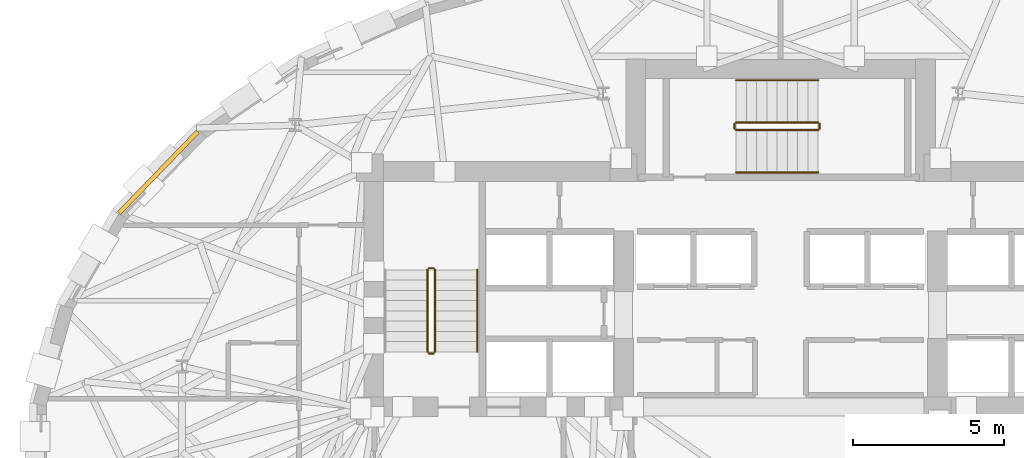
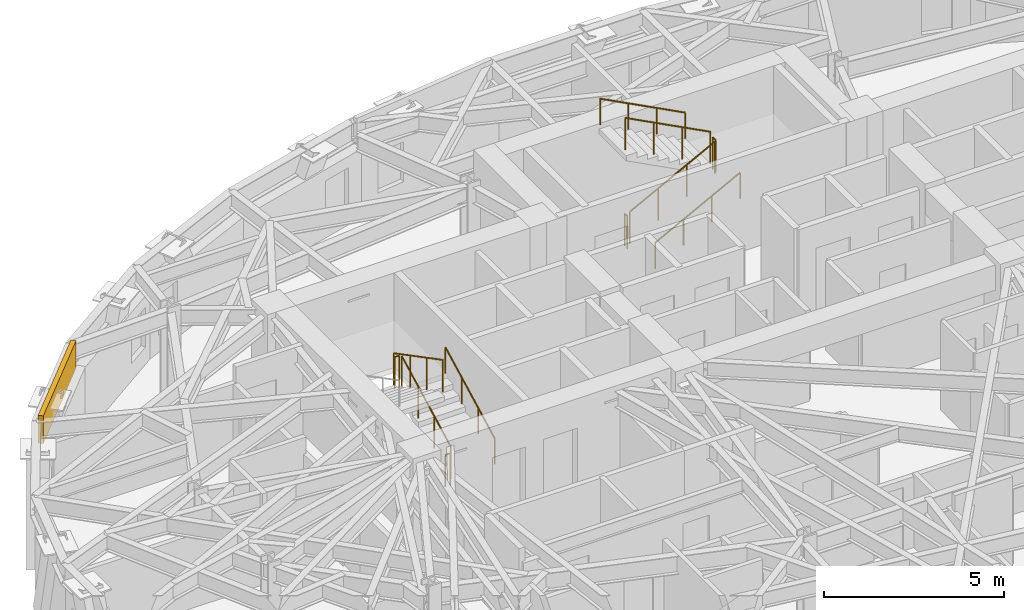
# One storey, part 13 of 15: 11 railings, 1 covering.
"""IFC4 building model written with IfcOpenShell, lengths in metres."""

from ifc_helpers import new_model, si_unit, direction, frame, origin, origin_2d, place, context, subcontext, project, spatial, rectangle, circle, extrude, material, layer, layer_set, type_object, element, save


model = new_model("IFC4")

# Units and contexts
model_context = context("Model", 3, precision=1e-05, world=origin(), true_north=direction((0.0, 1.0)))
body_context = subcontext(model_context, "Body", "Model", "MODEL_VIEW")
ifc_project = project(units=[si_unit("LENGTHUNIT", "METRE"), si_unit("AREAUNIT", "SQUARE_METRE"), si_unit("VOLUMEUNIT", "CUBIC_METRE"), si_unit("PLANEANGLEUNIT", "RADIAN"), si_unit("MASSUNIT", "GRAM", prefix="KILO")], contexts=[model_context])

# Site, building, storey
site_placement = place(None, origin())
site = spatial("IfcSite", under=ifc_project, at=site_placement, CompositionType="ELEMENT")
building_placement = place(site_placement, origin())
building = spatial("IfcBuilding", under=site, at=building_placement, Name="Keldmark Tower", CompositionType="ELEMENT")
storey_placement = place(building_placement, frame((0.0, 0.0, 159.800048828125)))
storey = spatial("IfcBuildingStorey", under=building, at=storey_placement, Name="L43", CompositionType="ELEMENT", Elevation=159.800048828125)

# Covering
ifc_material_1 = material(Name="Honed Kasota Buff Dolomitic Limestone", Category="masonry")
ifc_layer = layer(ifc_material_1, 0.074951171875)
ifc_layer_set = layer_set([ifc_layer], Name="Honed Kasota Buff Dolomitic Limestone")
covering_type = type_object("IfcCoveringType", Name="Kasota Buff Limestone Spandrel Cladding Band", PredefinedType="CLADDING", material=ifc_layer_set)
covering_placement = place(storey_placement, frame((-20.6142578125, 9.298095703125, 2.239013671875), z_axis=(0.0, 0.0, 1.0), x_axis=(-0.694959625859, -0.719048759422, 0.0)))
element("IfcCovering", 1, at=covering_placement, inside=storey, type_object=covering_type, Name="L43 Kasota Limestone Spandrel Band 13", PredefinedType="CLADDING", context=body_context, shape_type="SweptSolid", body=[
    extrude(rectangle(XDim=3.74609375, YDim=0.14990234375, at=origin_2d()), origin(), (0.0, 0.0, 1.0), 0.94091796875),
])

# Railings
ifc_material_2 = material(Name="Painted Steel ASTM A500 Grade B", Category="steel")
railing_type_1 = type_object("IfcRailingType", Name="Painted Steel Stair Well Guard 1100 mm", PredefinedType="GUARDRAIL", material=ifc_material_2)
railing_1_placement = place(storey_placement, frame((-11.449951171875, 3.35009765625, 0.177734375)))
element("IfcRailing", 2, at=railing_1_placement, inside=storey, type_object=railing_type_1, Name="L43 ST1 stair guard 1", PredefinedType="GUARDRAIL", context=body_context, shape_type="SweptSolid", body=[
    extrude(circle(Radius=0.02392578125, at=origin_2d()), frame((0.0, 0.0, 1.076171875), z_axis=(0.0, 0.886183135912, 0.463335137482), x_axis=(-1.0, 0.0, 0.0)), (0.0, 0.0, 1.0), 3.0693359375),
    extrude(circle(Radius=0.02099609375, at=origin_2d()), origin(), (0.0, 0.0, 1.0), 1.052001953125),
    extrude(circle(Radius=0.02099609375, at=origin_2d()), frame((0.0, 0.90673828125, 0.47412109375)), (0.0, 0.0, 1.0), 1.052001953125),
    extrude(circle(Radius=0.02099609375, at=origin_2d()), frame((0.0, 1.813232421875, 0.947998046875)), (0.0, 0.0, 1.0), 1.052001953125),
    extrude(circle(Radius=0.02099609375, at=origin_2d()), frame((0.0, 2.719970703125, 1.422119140625)), (0.0, 0.0, 1.0), 1.052001953125),
])
railing_2_placement = place(storey_placement, frame((-11.5, 6.1201171875, 1.599853515625)))
element("IfcRailing", 3, at=railing_2_placement, inside=storey, type_object=railing_type_1, Name="L43 ST1 stair guard 2", PredefinedType="GUARDRAIL", context=body_context, shape_type="SweptSolid", body=[
    extrude(circle(Radius=0.02392578125, at=origin_2d()), frame((0.0, 0.0, 1.076171875), z_axis=(-1.0, 0.0, 0.0), x_axis=(0.0, -1.0, 0.0)), (0.0, 0.0, 1.0), 0.14990234375),
    extrude(circle(Radius=0.02099609375, at=origin_2d()), origin(), (0.0, 0.0, 1.0), 1.052001953125),
    extrude(circle(Radius=0.02099609375, at=origin_2d()), frame((-0.14990234375, 0.0, 0.0)), (0.0, 0.0, 1.0), 1.052001953125),
])
railing_3_placement = place(storey_placement, frame((-11.699951171875, 6.070068359375, 1.77783203125)))
element("IfcRailing", 4, at=railing_3_placement, inside=storey, type_object=railing_type_1, Name="L43 ST1 stair guard 3", PredefinedType="GUARDRAIL", context=body_context, shape_type="SweptSolid", body=[
    extrude(circle(Radius=0.02392578125, at=origin_2d()), frame((0.0, 0.0, 1.076171875), z_axis=(0.0, -0.886183135912, 0.463335137482), x_axis=(1.0, 0.0, 0.0)), (0.0, 0.0, 1.0), 3.0693359375),
    extrude(circle(Radius=0.02099609375, at=origin_2d()), origin(), (0.0, 0.0, 1.0), 1.052001953125),
    extrude(circle(Radius=0.02099609375, at=origin_2d()), frame((0.0, -0.90673828125, 0.47412109375)), (0.0, 0.0, 1.0), 1.052001953125),
    extrude(circle(Radius=0.02099609375, at=origin_2d()), frame((0.0, -1.813232421875, 0.947998046875)), (0.0, 0.0, 1.0), 1.052001953125),
    extrude(circle(Radius=0.02099609375, at=origin_2d()), frame((0.0, -2.719970703125, 1.422119140625)), (0.0, 0.0, 1.0), 1.052001953125),
])
railing_4_placement = place(storey_placement, frame((-11.5, 3.300048828125, 0.0)))
element("IfcRailing", 5, at=railing_4_placement, inside=storey, type_object=railing_type_1, Name="L43 ST1 stair guard 4", PredefinedType="GUARDRAIL", context=body_context, shape_type="SweptSolid", body=[
    extrude(circle(Radius=0.02392578125, at=origin_2d()), frame((0.0, 0.0, 1.076171875), z_axis=(-1.0, 0.0, 0.0), x_axis=(0.0, -1.0, 0.0)), (0.0, 0.0, 1.0), 0.14990234375),
    extrude(circle(Radius=0.02099609375, at=origin_2d()), origin(), (0.0, 0.0, 1.0), 1.052001953125),
    extrude(circle(Radius=0.02099609375, at=origin_2d()), frame((-0.14990234375, 0.0, 0.0)), (0.0, 0.0, 1.0), 1.052001953125),
])
railing_5_placement = place(storey_placement, frame((-1.47509765625, 10.699951171875, 0.177734375)))
element("IfcRailing", 6, at=railing_5_placement, inside=storey, type_object=railing_type_1, Name="L43 ST3 stair guard 1", PredefinedType="GUARDRAIL", context=body_context, shape_type="SweptSolid", body=[
    extrude(circle(Radius=0.02392578125, at=origin_2d()), frame((0.0, 0.0, 1.076171875), z_axis=(0.886200210249, 0.0, 0.463302479331), x_axis=(0.0, 1.0, 0.0)), (0.0, 0.0, 1.0), 3.069580078125),
    extrude(circle(Radius=0.02099609375, at=origin_2d()), origin(), (0.0, 0.0, 1.0), 1.052001953125),
    extrude(circle(Radius=0.02099609375, at=origin_2d()), frame((0.90673828125, 0.0, 0.47412109375)), (0.0, 0.0, 1.0), 1.052001953125),
    extrude(circle(Radius=0.02099609375, at=origin_2d()), frame((1.8134765625, 0.0, 0.947998046875)), (0.0, 0.0, 1.0), 1.052001953125),
    extrude(circle(Radius=0.02099609375, at=origin_2d()), frame((2.72021484375, 0.0, 1.422119140625)), (0.0, 0.0, 1.0), 1.052001953125),
])
railing_6_placement = place(storey_placement, frame((1.294921875, 10.75, 1.599853515625)))
element("IfcRailing", 7, at=railing_6_placement, inside=storey, type_object=railing_type_1, Name="L43 ST3 stair guard 2", PredefinedType="GUARDRAIL", context=body_context, shape_type="SweptSolid", body=[
    extrude(circle(Radius=0.02392578125, at=origin_2d()), frame((0.0, 0.0, 1.076171875), z_axis=(0.0, 1.0, 0.0), x_axis=(-1.0, 0.0, 0.0)), (0.0, 0.0, 1.0), 0.14990234375),
    extrude(circle(Radius=0.02099609375, at=origin_2d()), origin(), (0.0, 0.0, 1.0), 1.052001953125),
    extrude(circle(Radius=0.02099609375, at=origin_2d()), frame((0.0, 0.14990234375, 0.0)), (0.0, 0.0, 1.0), 1.052001953125),
])
railing_7_placement = place(storey_placement, frame((1.2451171875, 10.949951171875, 1.77783203125)))
element("IfcRailing", 8, at=railing_7_placement, inside=storey, type_object=railing_type_1, Name="L43 ST3 stair guard 3", PredefinedType="GUARDRAIL", context=body_context, shape_type="SweptSolid", body=[
    extrude(circle(Radius=0.02392578125, at=origin_2d()), frame((0.0, 0.0, 1.076171875), z_axis=(-0.886200210249, 0.0, 0.463302479331), x_axis=(0.0, -1.0, 0.0)), (0.0, 0.0, 1.0), 3.069580078125),
    extrude(circle(Radius=0.02099609375, at=origin_2d()), origin(), (0.0, 0.0, 1.0), 1.052001953125),
    extrude(circle(Radius=0.02099609375, at=origin_2d()), frame((-0.90673828125, 0.0, 0.47412109375)), (0.0, 0.0, 1.0), 1.052001953125),
    extrude(circle(Radius=0.02099609375, at=origin_2d()), frame((-1.8134765625, 0.0, 0.947998046875)), (0.0, 0.0, 1.0), 1.052001953125),
    extrude(circle(Radius=0.02099609375, at=origin_2d()), frame((-2.72021484375, 0.0, 1.422119140625)), (0.0, 0.0, 1.0), 1.052001953125),
])
railing_8_placement = place(storey_placement, frame((-1.52490234375, 10.75, 0.0)))
element("IfcRailing", 9, at=railing_8_placement, inside=storey, type_object=railing_type_1, Name="L43 ST3 stair guard 4", PredefinedType="GUARDRAIL", context=body_context, shape_type="SweptSolid", body=[
    extrude(circle(Radius=0.02392578125, at=origin_2d()), frame((0.0, 0.0, 1.076171875), z_axis=(0.0, 1.0, 0.0), x_axis=(-1.0, 0.0, 0.0)), (0.0, 0.0, 1.0), 0.14990234375),
    extrude(circle(Radius=0.02099609375, at=origin_2d()), origin(), (0.0, 0.0, 1.0), 1.052001953125),
    extrude(circle(Radius=0.02099609375, at=origin_2d()), frame((0.0, 0.14990234375, 0.0)), (0.0, 0.0, 1.0), 1.052001953125),
])
ifc_material_3 = material(Name="Stainless Steel AISI 316L", Category="steel")
railing_type_2 = type_object("IfcRailingType", Name="Stainless Steel Stair Handrail 900 mm", PredefinedType="HANDRAIL", material=ifc_material_3)
railing_9_placement = place(storey_placement, frame((-10.050048828125, 3.35009765625, 0.177734375)))
element("IfcRailing", 10, at=railing_9_placement, inside=storey, type_object=railing_type_2, Name="L43 ST1 stair handrail 1", PredefinedType="HANDRAIL", context=body_context, shape_type="SweptSolid", body=[
    extrude(circle(Radius=0.02392578125, at=origin_2d()), frame((0.0, 0.0, 0.8759765625), z_axis=(0.0, 0.886183135912, 0.463335137482), x_axis=(-1.0, 0.0, 0.0)), (0.0, 0.0, 1.0), 3.0693359375),
    extrude(circle(Radius=0.02099609375, at=origin_2d()), origin(), (0.0, 0.0, 1.0), 0.851806640625),
    extrude(circle(Radius=0.02099609375, at=origin_2d()), frame((0.0, 0.90673828125, 0.47412109375)), (0.0, 0.0, 1.0), 0.851806640625),
    extrude(circle(Radius=0.02099609375, at=origin_2d()), frame((0.0, 1.813232421875, 0.947998046875)), (0.0, 0.0, 1.0), 0.851806640625),
    extrude(circle(Radius=0.02099609375, at=origin_2d()), frame((0.0, 2.719970703125, 1.422119140625)), (0.0, 0.0, 1.0), 0.851806640625),
])
railing_10_placement = place(storey_placement, frame((-1.47509765625, 9.300048828125, 0.177734375)))
element("IfcRailing", 11, at=railing_10_placement, inside=storey, type_object=railing_type_2, Name="L43 ST3 stair handrail 1", PredefinedType="HANDRAIL", context=body_context, shape_type="SweptSolid", body=[
    extrude(circle(Radius=0.02392578125, at=origin_2d()), frame((0.0, 0.0, 0.8759765625), z_axis=(0.886200210249, 0.0, 0.463302479331), x_axis=(0.0, 1.0, 0.0)), (0.0, 0.0, 1.0), 3.069580078125),
    extrude(circle(Radius=0.02099609375, at=origin_2d()), origin(), (0.0, 0.0, 1.0), 0.851806640625),
    extrude(circle(Radius=0.02099609375, at=origin_2d()), frame((0.90673828125, 0.0, 0.47412109375)), (0.0, 0.0, 1.0), 0.851806640625),
    extrude(circle(Radius=0.02099609375, at=origin_2d()), frame((1.8134765625, 0.0, 0.947998046875)), (0.0, 0.0, 1.0), 0.851806640625),
    extrude(circle(Radius=0.02099609375, at=origin_2d()), frame((2.72021484375, 0.0, 1.422119140625)), (0.0, 0.0, 1.0), 0.851806640625),
])
railing_11_placement = place(storey_placement, frame((1.2451171875, 12.35009765625, 1.77783203125)))
element("IfcRailing", 12, at=railing_11_placement, inside=storey, type_object=railing_type_2, Name="L43 ST3 stair handrail 2", PredefinedType="HANDRAIL", context=body_context, shape_type="SweptSolid", body=[
    extrude(circle(Radius=0.02392578125, at=origin_2d()), frame((0.0, 0.0, 0.8759765625), z_axis=(-0.886200210249, 0.0, 0.463302479331), x_axis=(0.0, -1.0, 0.0)), (0.0, 0.0, 1.0), 3.069580078125),
    extrude(circle(Radius=0.02099609375, at=origin_2d()), origin(), (0.0, 0.0, 1.0), 0.851806640625),
    extrude(circle(Radius=0.02099609375, at=origin_2d()), frame((-0.90673828125, 0.0, 0.47412109375)), (0.0, 0.0, 1.0), 0.851806640625),
    extrude(circle(Radius=0.02099609375, at=origin_2d()), frame((-1.8134765625, 0.0, 0.947998046875)), (0.0, 0.0, 1.0), 0.851806640625),
    extrude(circle(Radius=0.02099609375, at=origin_2d()), frame((-2.72021484375, 0.0, 1.422119140625)), (0.0, 0.0, 1.0), 0.851806640625),
])

save(model, "model.ifc")
